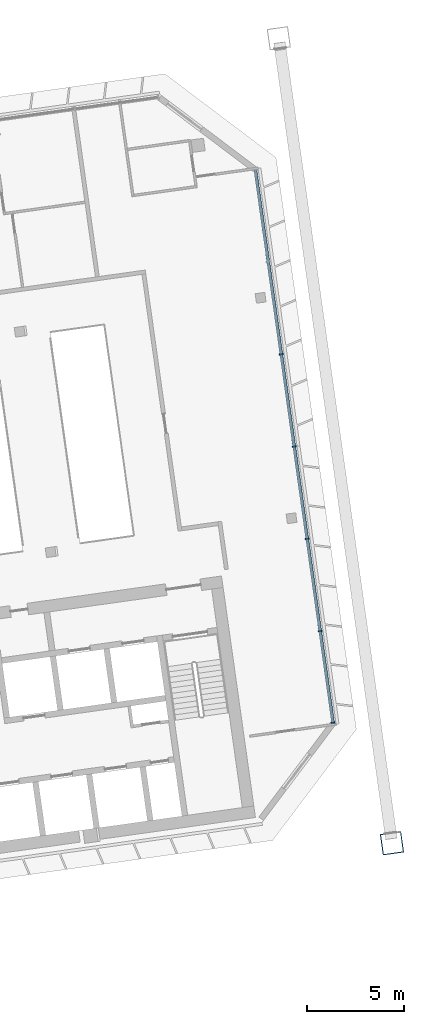
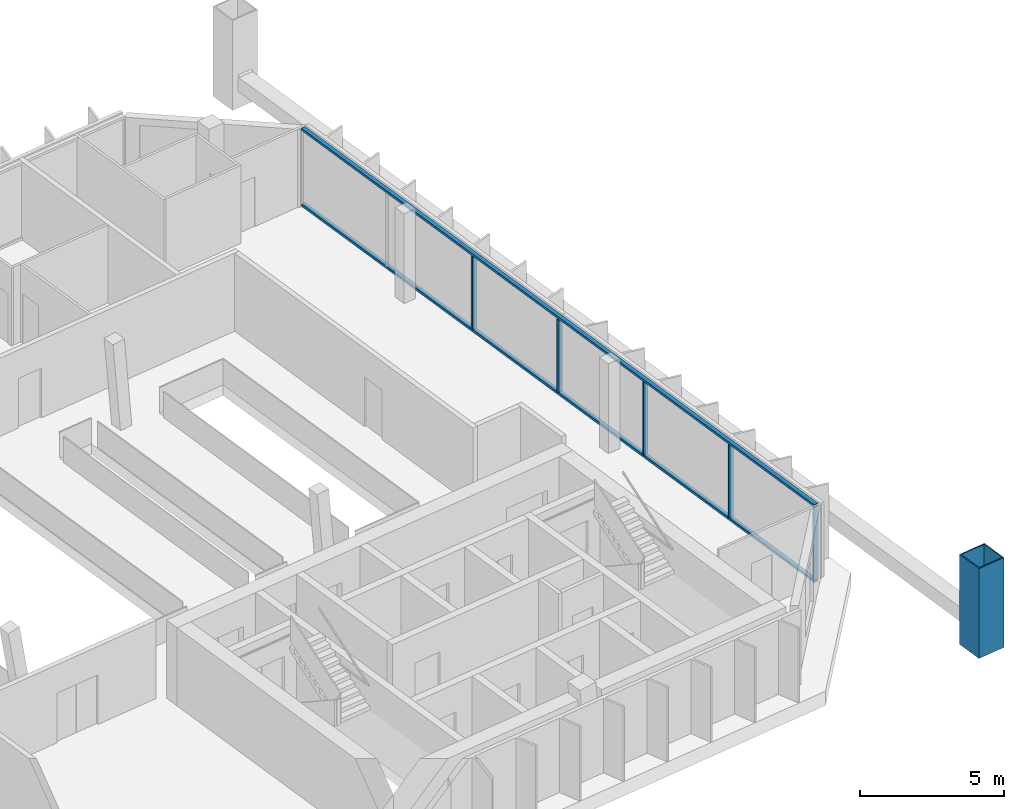
# One storey, part 15 of 36: 8 members, 1 element without a shape of its own.
"""IFC4 building model written with IfcOpenShell, lengths in metres."""

from ifc_helpers import new_model, si_unit, direction, frame, origin, origin_2d, place, context, subcontext, project, spatial, rectangle, hollow_rectangle, extrude, material, material_profile, profile_set, type_object, element, aggregate, save


model = new_model("IFC4")

# Units and contexts
model_context = context("Model", 3, precision=1e-05, world=origin(), true_north=direction((0.0, 1.0)))
body_context = subcontext(model_context, "Body", "Model", "MODEL_VIEW")
ifc_project = project(units=[si_unit("LENGTHUNIT", "METRE"), si_unit("AREAUNIT", "SQUARE_METRE"), si_unit("VOLUMEUNIT", "CUBIC_METRE"), si_unit("PLANEANGLEUNIT", "RADIAN"), si_unit("MASSUNIT", "GRAM", prefix="KILO")], contexts=[model_context])

# Site, building, storey
site_placement = place(None, origin())
site = spatial("IfcSite", under=ifc_project, at=site_placement, CompositionType="ELEMENT")
building_placement = place(site_placement, origin())
building = spatial("IfcBuilding", under=site, at=building_placement, Name="Mirante Cascada Hotel Towers", CompositionType="ELEMENT")
storey_placement = place(building_placement, frame((0.0, 0.0, 254.6)))
storey = spatial("IfcBuildingStorey", under=building, at=storey_placement, Name="L61", CompositionType="ELEMENT", Elevation=254.6)

# Member
ifc_material_1 = material(Name="Steel ASTM A572 Gr 50", Category="steel")
ifc_material_profile_1 = material_profile(ifc_material_1, hollow_rectangle(XDim=1.1, YDim=1.1, WallThickness=0.05, at=origin_2d()), Name="Box post 1100x1100x50 ASTM A572 Gr 50")
ifc_profile_set_1 = profile_set([ifc_material_profile_1], Name="Steel ASTM A572 Gr 50")
member_type_1 = type_object("IfcMemberType", Name="Box post 1100x1100x50 ASTM A572 Gr 50", PredefinedType="POST", material=ifc_profile_set_1)
member_1_placement = place(storey_placement, frame((61.6404, -18.7596, 0.0), z_axis=(0.0, 0.0, 1.0), x_axis=(0.9902681, 0.1391731, 0.0)))
element("IfcMember", 1, at=member_1_placement, inside=storey, type_object=member_type_1, Name="Mega column MP4 T2 L61", PredefinedType="POST", context=body_context, shape_type="SweptSolid", body=[
    extrude(hollow_rectangle(XDim=1.1, YDim=1.1, WallThickness=0.05, at=origin_2d()), origin(), (0.0, 0.0, 1.0), 3.8),
])

# Curtain wall, members
ifc_material_2 = material(Name="Aluminium mullion and transom frame with clear laminated glass", Category="aluminium")
curtain_wall_type = type_object("IfcCurtainWallType", Name="End ribbon curtain wall ECW2", PredefinedType="NOTDEFINED", material=ifc_material_2)
curtain_wall_placement = place(storey_placement, origin())
curtain_wall = element("IfcCurtainWall", 2, at=curtain_wall_placement, inside=storey, type_object=curtain_wall_type, Name="Outer end wall T2 L61", PredefinedType="NOTDEFINED")
ifc_material_3 = material(Name="Anodised aluminium extrusion", Category="aluminium")
ifc_material_profile_2 = material_profile(ifc_material_3, rectangle(XDim=0.2, YDim=0.065, at=origin_2d()), Name="ECW2 MULLION 65x200")
ifc_profile_set_2 = profile_set([ifc_material_profile_2], Name="Anodised aluminium extrusion")
member_type_2 = type_object("IfcMemberType", Name="ECW2 mullion 65x200", PredefinedType="MULLION", material=ifc_profile_set_2)
member_2_placement = place(storey_placement, frame((58.5935, -12.5284, 0.1), z_axis=(0.0, 0.0, 1.0), x_axis=(-0.9902681, -0.1391731, 0.0)))
member_2 = element("IfcMember", 3, at=member_2_placement, type_object=member_type_2, Name="ECW2 mullion 1", PredefinedType="MULLION", context=body_context, shape_type="SweptSolid", body=[
    extrude(rectangle(XDim=0.2, YDim=0.065, at=origin_2d()), origin(), (0.0, 0.0, 1.0), 3.1),
])
member_3_placement = place(storey_placement, frame((57.9283, -7.7948, 0.1), z_axis=(0.0, 0.0, 1.0), x_axis=(-0.9902681, -0.1391731, 0.0)))
member_3 = element("IfcMember", 4, at=member_3_placement, type_object=member_type_2, Name="ECW2 mullion 2", PredefinedType="MULLION", context=body_context, shape_type="SweptSolid", body=[
    extrude(rectangle(XDim=0.2, YDim=0.065, at=origin_2d()), origin(), (0.0, 0.0, 1.0), 3.1),
])
member_4_placement = place(storey_placement, frame((57.2585, -3.029, 0.1), z_axis=(0.0, 0.0, 1.0), x_axis=(-0.9902681, -0.1391731, 0.0)))
member_4 = element("IfcMember", 5, at=member_4_placement, type_object=member_type_2, Name="ECW2 mullion 3", PredefinedType="MULLION", context=body_context, shape_type="SweptSolid", body=[
    extrude(rectangle(XDim=0.2, YDim=0.065, at=origin_2d()), origin(), (0.0, 0.0, 1.0), 3.1),
])
member_5_placement = place(storey_placement, frame((56.5887, 1.7368, 0.1), z_axis=(0.0, 0.0, 1.0), x_axis=(-0.9902681, -0.1391731, 0.0)))
member_5 = element("IfcMember", 6, at=member_5_placement, type_object=member_type_2, Name="ECW2 mullion 4", PredefinedType="MULLION", context=body_context, shape_type="SweptSolid", body=[
    extrude(rectangle(XDim=0.2, YDim=0.065, at=origin_2d()), origin(), (0.0, 0.0, 1.0), 3.1),
])
member_6_placement = place(storey_placement, frame((55.9189, 6.5026, 0.1), z_axis=(0.0, 0.0, 1.0), x_axis=(-0.9902681, -0.1391731, 0.0)))
member_6 = element("IfcMember", 7, at=member_6_placement, type_object=member_type_2, Name="ECW2 mullion 5", PredefinedType="MULLION", context=body_context, shape_type="SweptSolid", body=[
    extrude(rectangle(XDim=0.2, YDim=0.065, at=origin_2d()), origin(), (0.0, 0.0, 1.0), 3.1),
])
ifc_material_4 = material(Name="Anodised aluminium extrusion", Category="aluminium")
ifc_material_profile_3 = material_profile(ifc_material_4, rectangle(XDim=0.16, YDim=0.1, at=origin_2d()), Name="ECW2 TRANSOM 100x160")
ifc_profile_set_3 = profile_set([ifc_material_profile_3], Name="Anodised aluminium extrusion")
member_type_3 = type_object("IfcMemberType", Name="ECW2 transom 100x160", PredefinedType="USERDEFINED", material=ifc_profile_set_3)
member_7_placement = place(storey_placement, frame((58.5981, -12.5606, 0.05), z_axis=(-0.1391752, 0.9902678, 0.0), x_axis=(-0.9902678, -0.1391752, 0.0)))
member_7 = element("IfcMember", 8, at=member_7_placement, type_object=member_type_3, Name="ECW2 sill transom", ObjectType="TRANSOM", PredefinedType="USERDEFINED", context=body_context, shape_type="SweptSolid", body=[
    extrude(rectangle(XDim=0.16, YDim=0.1, at=origin_2d()), origin(), (0.0, 0.0, 1.0), 28.8758),
])
member_8_placement = place(storey_placement, frame((58.5981, -12.5606, 3.25), z_axis=(-0.1391752, 0.9902678, 0.0), x_axis=(-0.9902678, -0.1391752, 0.0)))
member_8 = element("IfcMember", 9, at=member_8_placement, type_object=member_type_3, Name="ECW2 head transom", ObjectType="TRANSOM", PredefinedType="USERDEFINED", context=body_context, shape_type="SweptSolid", body=[
    extrude(rectangle(XDim=0.16, YDim=0.1, at=origin_2d()), origin(), (0.0, 0.0, 1.0), 28.8758),
])
aggregate(curtain_wall, [member_7, member_8, member_2, member_3, member_4, member_5, member_6])

save(model, "model.ifc")
